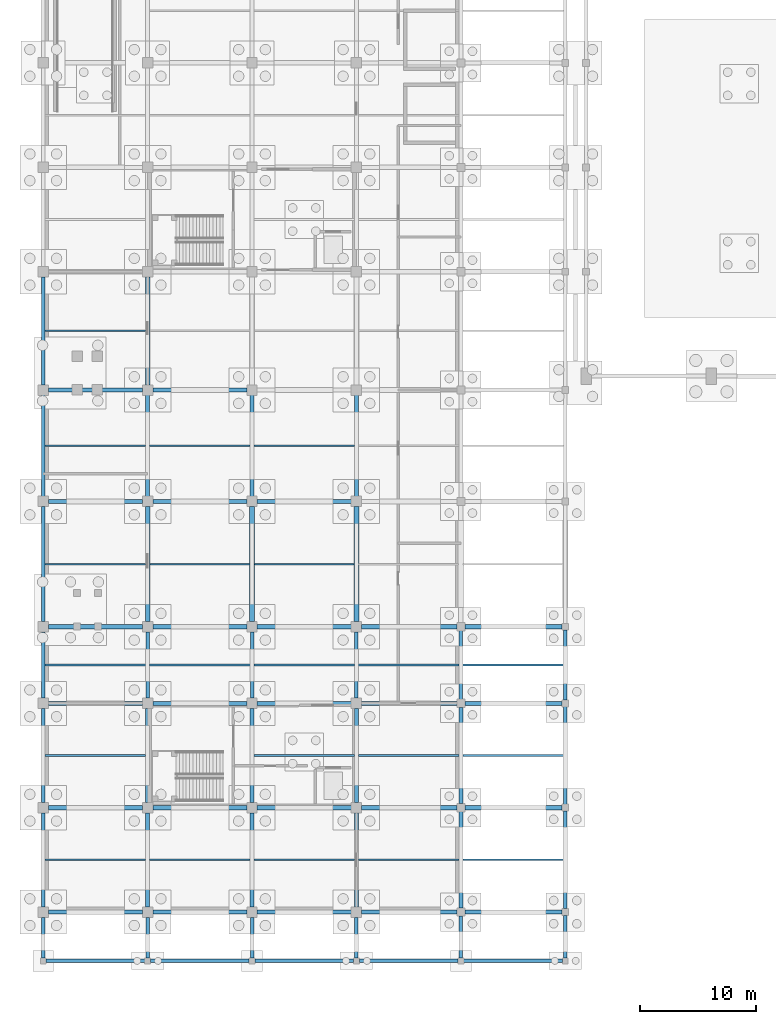
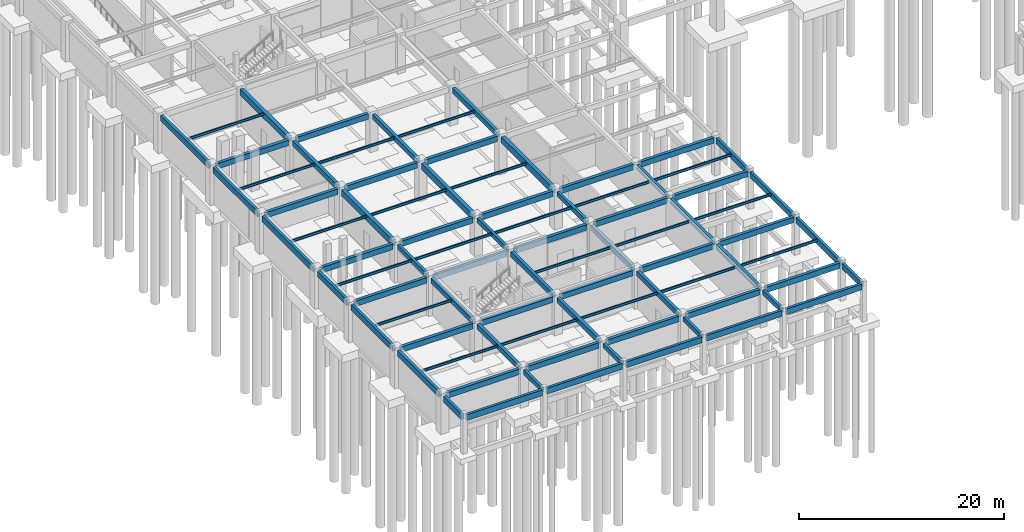
# One storey, part 14 of 33: 85 beams.
"""IFC4 building model written with IfcOpenShell, lengths in metres."""

from ifc_helpers import new_model, si_unit, direction, frame, origin, origin_2d, place, context, subcontext, project, spatial, rectangle, i_section, extrude, material, material_profile, profile_set, type_object, element, save


model = new_model("IFC4")

# Units and contexts
model_context = context("Model", 3, precision=1e-05, world=origin(), true_north=direction((0.0, 1.0)))
body_context = subcontext(model_context, "Body", "Model", "MODEL_VIEW")
ifc_project = project(units=[si_unit("LENGTHUNIT", "METRE"), si_unit("AREAUNIT", "SQUARE_METRE"), si_unit("VOLUMEUNIT", "CUBIC_METRE"), si_unit("PLANEANGLEUNIT", "RADIAN"), si_unit("MASSUNIT", "GRAM", prefix="KILO")], contexts=[model_context])

# Site, building, storey
site_placement = place(None, origin())
site = spatial("IfcSite", under=ifc_project, at=site_placement, CompositionType="ELEMENT")
building_placement = place(site_placement, origin())
building = spatial("IfcBuilding", under=site, at=building_placement, Name="Suirenkawa Promenade Aquatics Centre", CompositionType="ELEMENT")
storey_placement = place(building_placement, frame((0.0, 0.0, -4.800048828125)))
storey = spatial("IfcBuildingStorey", under=building, at=storey_placement, Name="B1", CompositionType="ELEMENT", Elevation=-4.800048828125)

# Beams
ifc_material_1 = material(Name="Steel IS 2062 E350 (Grade 350)", Category="steel")
ifc_material_profile_1 = material_profile(ifc_material_1, i_section(OverallWidth=0.139892578125, OverallDepth=0.300048828125, WebThickness=0.008056640625, FlangeThickness=0.012939453125, at=origin_2d()), Name="ISMB 300", Category="steel")
ifc_profile_set_1 = profile_set([ifc_material_profile_1], Name="Steel IS 2062 E350 (Grade 350)")
beam_type_1 = type_object("IfcBeamType", Name="BT-JOIST-ISMB300", PredefinedType="JOIST", material=ifc_profile_set_1)
for number, where, z_axis, x_axis, name in (
    (1, (0.14404296875, 8.699951171875, 4.34814453125), (1.0, 0.0, 0.0), (0.0, 1.0, 0.0), "Secondary floor joist JS-02 BM-0145"),
    (2, (0.14404296875, 17.699951171875, 4.34814453125), (1.0, 0.0, 0.0), (0.0, 1.0, 0.0), "Secondary floor joist JS-02 BM-0146"),
):
    element("IfcBeam", number, at=place(storey_placement, frame(where, z_axis=z_axis, x_axis=x_axis)), inside=storey, type_object=beam_type_1, Name=name, PredefinedType="JOIST", context=body_context, shape_type="SweptSolid", body=[
        extrude(i_section(OverallWidth=0.139892578125, OverallDepth=0.300048828125, WebThickness=0.008056640625, FlangeThickness=0.012939453125, at=origin_2d()), origin(), (0.0, 0.0, 1.0), 8.68701171875),
    ])
beam_1_placement = place(storey_placement, frame((0.14404296875, 25.5, 4.34814453125), z_axis=(1.0, 0.0, 0.0), x_axis=(0.0, 1.0, 0.0)))
element("IfcBeam", 3, at=beam_1_placement, inside=storey, type_object=beam_type_1, Name="Secondary floor joist JS-02 BM-0147", PredefinedType="JOIST", context=body_context, shape_type="SweptSolid", body=[
    extrude(i_section(OverallWidth=0.139892578125, OverallDepth=0.300048828125, WebThickness=0.008056640625, FlangeThickness=0.012939453125, at=origin_2d()), origin(), (0.0, 0.0, 1.0), 8.7119140625),
])
beam_2_placement = place(storey_placement, frame((0.14404296875, 34.199951171875, 4.34814453125), z_axis=(1.0, 0.0, 0.0), x_axis=(0.0, 1.0, 0.0)))
element("IfcBeam", 4, at=beam_2_placement, inside=storey, type_object=beam_type_1, Name="Secondary floor joist JS-02 BM-0148", PredefinedType="JOIST", context=body_context, shape_type="SweptSolid", body=[
    extrude(i_section(OverallWidth=0.139892578125, OverallDepth=0.300048828125, WebThickness=0.008056640625, FlangeThickness=0.012939453125, at=origin_2d()), origin(), (0.0, 0.0, 1.0), 8.661865234375),
])
beam_3_placement = place(storey_placement, frame((0.14404296875, 44.39990234375, 4.34814453125), z_axis=(1.0, 0.0, 0.0), x_axis=(0.0, 1.0, 0.0)))
element("IfcBeam", 5, at=beam_3_placement, inside=storey, type_object=beam_type_1, Name="Secondary floor joist JS-02 BM-0149", PredefinedType="JOIST", context=body_context, shape_type="SweptSolid", body=[
    extrude(i_section(OverallWidth=0.139892578125, OverallDepth=0.300048828125, WebThickness=0.008056640625, FlangeThickness=0.012939453125, at=origin_2d()), origin(), (0.0, 0.0, 1.0), 8.68701171875),
])
beam_4_placement = place(storey_placement, frame((0.14404296875, 54.300048828125, 4.34814453125), z_axis=(1.0, 0.0, 0.0), x_axis=(0.0, 1.0, 0.0)))
element("IfcBeam", 6, at=beam_4_placement, inside=storey, type_object=beam_type_1, Name="Secondary floor joist JS-02 BM-0150", PredefinedType="JOIST", context=body_context, shape_type="SweptSolid", body=[
    extrude(i_section(OverallWidth=0.139892578125, OverallDepth=0.300048828125, WebThickness=0.008056640625, FlangeThickness=0.012939453125, at=origin_2d()), origin(), (0.0, 0.0, 1.0), 8.661865234375),
])
beam_5_placement = place(storey_placement, frame((9.1689453125, 8.699951171875, 4.34814453125), z_axis=(1.0, 0.0, 0.0), x_axis=(0.0, 1.0, 0.0)))
element("IfcBeam", 7, at=beam_5_placement, inside=storey, type_object=beam_type_1, Name="Secondary floor joist JS-02 BM-0153", PredefinedType="JOIST", context=body_context, shape_type="SweptSolid", body=[
    extrude(i_section(OverallWidth=0.139892578125, OverallDepth=0.300048828125, WebThickness=0.008056640625, FlangeThickness=0.012939453125, at=origin_2d()), origin(), (0.0, 0.0, 1.0), 8.662109375),
])
beam_6_placement = place(storey_placement, frame((9.14404296875, 25.5, 4.34814453125), z_axis=(1.0, 0.0, 0.0), x_axis=(0.0, 1.0, 0.0)))
element("IfcBeam", 8, at=beam_6_placement, inside=storey, type_object=beam_type_1, Name="Secondary floor joist JS-02 BM-0154", PredefinedType="JOIST", context=body_context, shape_type="SweptSolid", body=[
    extrude(i_section(OverallWidth=0.139892578125, OverallDepth=0.300048828125, WebThickness=0.008056640625, FlangeThickness=0.012939453125, at=origin_2d()), origin(), (0.0, 0.0, 1.0), 8.7119140625),
])
beam_7_placement = place(storey_placement, frame((9.194091796875, 34.199951171875, 4.34814453125), z_axis=(1.0, 0.0, 0.0), x_axis=(0.0, 1.0, 0.0)))
element("IfcBeam", 9, at=beam_7_placement, inside=storey, type_object=beam_type_1, Name="Secondary floor joist JS-02 BM-0155", PredefinedType="JOIST", context=body_context, shape_type="SweptSolid", body=[
    extrude(i_section(OverallWidth=0.139892578125, OverallDepth=0.300048828125, WebThickness=0.008056640625, FlangeThickness=0.012939453125, at=origin_2d()), origin(), (0.0, 0.0, 1.0), 8.61181640625),
])
for number, where, z_axis, x_axis, name in (
    (10, (9.1689453125, 44.39990234375, 4.34814453125), (1.0, 0.0, 0.0), (0.0, 1.0, 0.0), "Secondary floor joist JS-02 BM-0156"),
    (11, (18.1689453125, 8.699951171875, 4.34814453125), (1.0, 0.0, 0.0), (0.0, 1.0, 0.0), "Secondary floor joist JS-02 BM-0163"),
    (12, (18.1689453125, 17.699951171875, 4.34814453125), (1.0, 0.0, 0.0), (0.0, 1.0, 0.0), "Secondary floor joist JS-02 BM-0164"),
):
    element("IfcBeam", number, at=place(storey_placement, frame(where, z_axis=z_axis, x_axis=x_axis)), inside=storey, type_object=beam_type_1, Name=name, PredefinedType="JOIST", context=body_context, shape_type="SweptSolid", body=[
        extrude(i_section(OverallWidth=0.139892578125, OverallDepth=0.300048828125, WebThickness=0.008056640625, FlangeThickness=0.012939453125, at=origin_2d()), origin(), (0.0, 0.0, 1.0), 8.662109375),
    ])
beam_8_placement = place(storey_placement, frame((18.14404296875, 25.5, 4.34814453125), z_axis=(1.0, 0.0, 0.0), x_axis=(0.0, 1.0, 0.0)))
element("IfcBeam", 13, at=beam_8_placement, inside=storey, type_object=beam_type_1, Name="Secondary floor joist JS-02 BM-0165", PredefinedType="JOIST", context=body_context, shape_type="SweptSolid", body=[
    extrude(i_section(OverallWidth=0.139892578125, OverallDepth=0.300048828125, WebThickness=0.008056640625, FlangeThickness=0.012939453125, at=origin_2d()), origin(), (0.0, 0.0, 1.0), 8.7119140625),
])
beam_9_placement = place(storey_placement, frame((18.194091796875, 34.199951171875, 4.34814453125), z_axis=(1.0, 0.0, 0.0), x_axis=(0.0, 1.0, 0.0)))
element("IfcBeam", 14, at=beam_9_placement, inside=storey, type_object=beam_type_1, Name="Secondary floor joist JS-02 BM-0166", PredefinedType="JOIST", context=body_context, shape_type="SweptSolid", body=[
    extrude(i_section(OverallWidth=0.139892578125, OverallDepth=0.300048828125, WebThickness=0.008056640625, FlangeThickness=0.012939453125, at=origin_2d()), origin(), (0.0, 0.0, 1.0), 8.61181640625),
])
for number, where, z_axis, x_axis, name in (
    (15, (18.1689453125, 44.39990234375, 4.34814453125), (1.0, 0.0, 0.0), (0.0, 1.0, 0.0), "Secondary floor joist JS-02 BM-0167"),
    (16, (27.1689453125, 8.699951171875, 4.34814453125), (1.0, 0.0, 0.0), (0.0, 1.0, 0.0), "Secondary floor joist JS-02 BM-0175"),
    (17, (27.1689453125, 17.699951171875, 4.34814453125), (1.0, 0.0, 0.0), (0.0, 1.0, 0.0), "Secondary floor joist JS-02 BM-0176"),
):
    element("IfcBeam", number, at=place(storey_placement, frame(where, z_axis=z_axis, x_axis=x_axis)), inside=storey, type_object=beam_type_1, Name=name, PredefinedType="JOIST", context=body_context, shape_type="SweptSolid", body=[
        extrude(i_section(OverallWidth=0.139892578125, OverallDepth=0.300048828125, WebThickness=0.008056640625, FlangeThickness=0.012939453125, at=origin_2d()), origin(), (0.0, 0.0, 1.0), 8.662109375),
    ])
beam_10_placement = place(storey_placement, frame((27.14404296875, 25.5, 4.34814453125), z_axis=(1.0, 0.0, 0.0), x_axis=(0.0, 1.0, 0.0)))
element("IfcBeam", 18, at=beam_10_placement, inside=storey, type_object=beam_type_1, Name="Secondary floor joist JS-02 BM-0177", PredefinedType="JOIST", context=body_context, shape_type="SweptSolid", body=[
    extrude(i_section(OverallWidth=0.139892578125, OverallDepth=0.300048828125, WebThickness=0.008056640625, FlangeThickness=0.012939453125, at=origin_2d()), origin(), (0.0, 0.0, 1.0), 8.7119140625),
])
for number, where, z_axis, x_axis, name in (
    (19, (36.1689453125, 8.699951171875, 4.34814453125), (1.0, 0.0, 0.0), (0.0, 1.0, 0.0), "Secondary floor joist JS-02 BM-0187"),
    (20, (36.1689453125, 17.699951171875, 4.34814453125), (1.0, 0.0, 0.0), (0.0, 1.0, 0.0), "Secondary floor joist JS-02 BM-0188"),
):
    element("IfcBeam", number, at=place(storey_placement, frame(where, z_axis=z_axis, x_axis=x_axis)), inside=storey, type_object=beam_type_1, Name=name, PredefinedType="JOIST", context=body_context, shape_type="SweptSolid", body=[
        extrude(i_section(OverallWidth=0.139892578125, OverallDepth=0.300048828125, WebThickness=0.008056640625, FlangeThickness=0.012939453125, at=origin_2d()), origin(), (0.0, 0.0, 1.0), 8.68701171875),
    ])
beam_11_placement = place(storey_placement, frame((36.14404296875, 25.5, 4.34814453125), z_axis=(1.0, 0.0, 0.0), x_axis=(0.0, 1.0, 0.0)))
element("IfcBeam", 21, at=beam_11_placement, inside=storey, type_object=beam_type_1, Name="Secondary floor joist JS-02 BM-0189", PredefinedType="JOIST", context=body_context, shape_type="SweptSolid", body=[
    extrude(i_section(OverallWidth=0.139892578125, OverallDepth=0.300048828125, WebThickness=0.008056640625, FlangeThickness=0.012939453125, at=origin_2d()), origin(), (0.0, 0.0, 1.0), 8.7119140625),
])
ifc_material_2 = material(Name="Concrete M35", Category="concrete")
ifc_material_profile_2 = material_profile(ifc_material_2, rectangle(XDim=0.300048828125, YDim=0.550048828125, at=origin_2d()), Name="RC BM 300x550", Category="concrete")
ifc_profile_set_2 = profile_set([ifc_material_profile_2], Name="Concrete M35")
beam_type_2 = type_object("IfcBeamType", Name="BT-RC-300x550", PredefinedType="BEAM", material=ifc_profile_set_2)
beam_12_placement = place(storey_placement, frame((9.0, 0.243896484375, 4.22509765625), z_axis=(0.0, 1.0, 0.0), x_axis=(-1.0, 0.0, 0.0)))
element("IfcBeam", 22, at=beam_12_placement, inside=storey, type_object=beam_type_2, Name="Floor beam BM-01 BM-0080", PredefinedType="BEAM", context=body_context, shape_type="SweptSolid", body=[
    extrude(rectangle(XDim=0.300048828125, YDim=0.550048828125, at=origin_2d()), origin(), (0.0, 0.0, 1.0), 3.51220703125),
])
beam_13_placement = place(storey_placement, frame((9.0, 22.64404296875, 4.22509765625), z_axis=(0.0, 1.0, 0.0), x_axis=(-1.0, 0.0, 0.0)))
element("IfcBeam", 23, at=beam_13_placement, inside=storey, type_object=beam_type_2, Name="Floor beam BM-01 BM-0083", PredefinedType="BEAM", context=body_context, shape_type="SweptSolid", body=[
    extrude(rectangle(XDim=0.300048828125, YDim=0.550048828125, at=origin_2d()), origin(), (0.0, 0.0, 1.0), 5.7119140625),
])
beam_14_placement = place(storey_placement, frame((18.0, 0.243896484375, 4.22509765625), z_axis=(0.0, 1.0, 0.0), x_axis=(-1.0, 0.0, 0.0)))
element("IfcBeam", 24, at=beam_14_placement, inside=storey, type_object=beam_type_2, Name="Floor beam BM-01 BM-0093", PredefinedType="BEAM", context=body_context, shape_type="SweptSolid", body=[
    extrude(rectangle(XDim=0.300048828125, YDim=0.550048828125, at=origin_2d()), origin(), (0.0, 0.0, 1.0), 3.51220703125),
])
beam_15_placement = place(storey_placement, frame((18.0, 22.64404296875, 4.22509765625), z_axis=(0.0, 1.0, 0.0), x_axis=(-1.0, 0.0, 0.0)))
element("IfcBeam", 25, at=beam_15_placement, inside=storey, type_object=beam_type_2, Name="Floor beam BM-01 BM-0096", PredefinedType="BEAM", context=body_context, shape_type="SweptSolid", body=[
    extrude(rectangle(XDim=0.300048828125, YDim=0.550048828125, at=origin_2d()), origin(), (0.0, 0.0, 1.0), 5.7119140625),
])
beam_16_placement = place(storey_placement, frame((27.0, 0.243896484375, 4.22509765625), z_axis=(0.0, 1.0, 0.0), x_axis=(-1.0, 0.0, 0.0)))
element("IfcBeam", 26, at=beam_16_placement, inside=storey, type_object=beam_type_2, Name="Floor beam BM-01 BM-0106", PredefinedType="BEAM", context=body_context, shape_type="SweptSolid", body=[
    extrude(rectangle(XDim=0.300048828125, YDim=0.550048828125, at=origin_2d()), origin(), (0.0, 0.0, 1.0), 3.51220703125),
])
beam_17_placement = place(storey_placement, frame((27.0, 22.64404296875, 4.22509765625), z_axis=(0.0, 1.0, 0.0), x_axis=(-1.0, 0.0, 0.0)))
element("IfcBeam", 27, at=beam_17_placement, inside=storey, type_object=beam_type_2, Name="Floor beam BM-01 BM-0109", PredefinedType="BEAM", context=body_context, shape_type="SweptSolid", body=[
    extrude(rectangle(XDim=0.300048828125, YDim=0.550048828125, at=origin_2d()), origin(), (0.0, 0.0, 1.0), 5.7119140625),
])
beam_18_placement = place(storey_placement, frame((36.0, 0.243896484375, 4.22509765625), z_axis=(0.0, 1.0, 0.0), x_axis=(-1.0, 0.0, 0.0)))
element("IfcBeam", 28, at=beam_18_placement, inside=storey, type_object=beam_type_2, Name="Floor beam BM-01 BM-0119", PredefinedType="BEAM", context=body_context, shape_type="SweptSolid", body=[
    extrude(rectangle(XDim=0.300048828125, YDim=0.550048828125, at=origin_2d()), origin(), (0.0, 0.0, 1.0), 3.612060546875),
])
beam_19_placement = place(storey_placement, frame((36.0, 22.5439453125, 4.22509765625), z_axis=(0.0, 1.0, 0.0), x_axis=(-1.0, 0.0, 0.0)))
element("IfcBeam", 29, at=beam_19_placement, inside=storey, type_object=beam_type_2, Name="Floor beam BM-01 BM-0122", PredefinedType="BEAM", context=body_context, shape_type="SweptSolid", body=[
    extrude(rectangle(XDim=0.300048828125, YDim=0.550048828125, at=origin_2d()), origin(), (0.0, 0.0, 1.0), 5.912109375),
])
ifc_material_profile_3 = material_profile(ifc_material_2, rectangle(XDim=0.35009765625, YDim=0.60009765625, at=origin_2d()), Name="RC BM 350x600", Category="concrete")
ifc_profile_set_3 = profile_set([ifc_material_profile_3], Name="Concrete M35")
beam_type_3 = type_object("IfcBeamType", Name="BT-RC-350x600", PredefinedType="BEAM", material=ifc_profile_set_3)
for number, where, z_axis, x_axis, name in (
    (30, (9.0, 4.64404296875, 4.199951171875), (0.0, 1.0, 0.0), (-1.0, 0.0, 0.0), "Floor beam BM-02 BM-0081"),
    (31, (9.0, 13.64404296875, 4.199951171875), (0.0, 1.0, 0.0), (-1.0, 0.0, 0.0), "Floor beam BM-02 BM-0082"),
):
    element("IfcBeam", number, at=place(storey_placement, frame(where, z_axis=z_axis, x_axis=x_axis)), inside=storey, type_object=beam_type_3, Name=name, PredefinedType="BEAM", context=body_context, shape_type="SweptSolid", body=[
        extrude(rectangle(XDim=0.35009765625, YDim=0.60009765625, at=origin_2d()), origin(), (0.0, 0.0, 1.0), 8.112060546875),
    ])
beam_20_placement = place(storey_placement, frame((9.0, 40.0439453125, 4.199951171875), z_axis=(0.0, 1.0, 0.0), x_axis=(-1.0, 0.0, 0.0)))
element("IfcBeam", 32, at=beam_20_placement, inside=storey, type_object=beam_type_3, Name="Floor beam BM-02 BM-0085", PredefinedType="BEAM", context=body_context, shape_type="SweptSolid", body=[
    extrude(rectangle(XDim=0.35009765625, YDim=0.60009765625, at=origin_2d()), origin(), (0.0, 0.0, 1.0), 8.712158203125),
])
for number, where, z_axis, x_axis, name in (
    (33, (18.0, 4.64404296875, 4.199951171875), (0.0, 1.0, 0.0), (-1.0, 0.0, 0.0), "Floor beam BM-02 BM-0094"),
    (34, (18.0, 13.64404296875, 4.199951171875), (0.0, 1.0, 0.0), (-1.0, 0.0, 0.0), "Floor beam BM-02 BM-0095"),
):
    element("IfcBeam", number, at=place(storey_placement, frame(where, z_axis=z_axis, x_axis=x_axis)), inside=storey, type_object=beam_type_3, Name=name, PredefinedType="BEAM", context=body_context, shape_type="SweptSolid", body=[
        extrude(rectangle(XDim=0.35009765625, YDim=0.60009765625, at=origin_2d()), origin(), (0.0, 0.0, 1.0), 8.112060546875),
    ])
beam_21_placement = place(storey_placement, frame((18.0, 40.0439453125, 4.199951171875), z_axis=(0.0, 1.0, 0.0), x_axis=(-1.0, 0.0, 0.0)))
element("IfcBeam", 35, at=beam_21_placement, inside=storey, type_object=beam_type_3, Name="Floor beam BM-02 BM-0098", PredefinedType="BEAM", context=body_context, shape_type="SweptSolid", body=[
    extrude(rectangle(XDim=0.35009765625, YDim=0.60009765625, at=origin_2d()), origin(), (0.0, 0.0, 1.0), 8.712158203125),
])
for number, where, z_axis, x_axis, name in (
    (36, (27.0, 4.64404296875, 4.199951171875), (0.0, 1.0, 0.0), (-1.0, 0.0, 0.0), "Floor beam BM-02 BM-0107"),
    (37, (27.0, 13.64404296875, 4.199951171875), (0.0, 1.0, 0.0), (-1.0, 0.0, 0.0), "Floor beam BM-02 BM-0108"),
):
    element("IfcBeam", number, at=place(storey_placement, frame(where, z_axis=z_axis, x_axis=x_axis)), inside=storey, type_object=beam_type_3, Name=name, PredefinedType="BEAM", context=body_context, shape_type="SweptSolid", body=[
        extrude(rectangle(XDim=0.35009765625, YDim=0.60009765625, at=origin_2d()), origin(), (0.0, 0.0, 1.0), 8.112060546875),
    ])
beam_22_placement = place(storey_placement, frame((27.0, 40.0439453125, 4.199951171875), z_axis=(0.0, 1.0, 0.0), x_axis=(-1.0, 0.0, 0.0)))
element("IfcBeam", 38, at=beam_22_placement, inside=storey, type_object=beam_type_3, Name="Floor beam BM-02 BM-0111", PredefinedType="BEAM", context=body_context, shape_type="SweptSolid", body=[
    extrude(rectangle(XDim=0.35009765625, YDim=0.60009765625, at=origin_2d()), origin(), (0.0, 0.0, 1.0), 8.712158203125),
])
for number, where, z_axis, x_axis, name in (
    (39, (36.0, 4.5439453125, 4.199951171875), (0.0, 1.0, 0.0), (-1.0, 0.0, 0.0), "Floor beam BM-02 BM-0120"),
    (40, (36.0, 13.5439453125, 4.199951171875), (0.0, 1.0, 0.0), (-1.0, 0.0, 0.0), "Floor beam BM-02 BM-0121"),
):
    element("IfcBeam", number, at=place(storey_placement, frame(where, z_axis=z_axis, x_axis=x_axis)), inside=storey, type_object=beam_type_3, Name=name, PredefinedType="BEAM", context=body_context, shape_type="SweptSolid", body=[
        extrude(rectangle(XDim=0.35009765625, YDim=0.60009765625, at=origin_2d()), origin(), (0.0, 0.0, 1.0), 8.31201171875),
    ])
ifc_material_profile_4 = material_profile(ifc_material_2, rectangle(XDim=0.35009765625, YDim=0.64990234375, at=origin_2d()), Name="RC BM 350x650", Category="concrete")
ifc_profile_set_4 = profile_set([ifc_material_profile_4], Name="Concrete M35")
beam_type_4 = type_object("IfcBeamType", Name="BT-RC-350x650", PredefinedType="BEAM", material=ifc_profile_set_4)
for number, where, z_axis, x_axis, name in (
    (41, (0.444091796875, 4.199951171875, 4.175048828125), (1.0, 0.0, 0.0), (0.0, 1.0, 0.0), "Floor beam BM-03 BM-0006"),
    (42, (9.444091796875, 4.199951171875, 4.175048828125), (1.0, 0.0, 0.0), (0.0, 1.0, 0.0), "Floor beam BM-03 BM-0007"),
    (43, (18.444091796875, 4.199951171875, 4.175048828125), (1.0, 0.0, 0.0), (0.0, 1.0, 0.0), "Floor beam BM-03 BM-0008"),
):
    element("IfcBeam", number, at=place(storey_placement, frame(where, z_axis=z_axis, x_axis=x_axis)), inside=storey, type_object=beam_type_4, Name=name, PredefinedType="BEAM", context=body_context, shape_type="SweptSolid", body=[
        extrude(rectangle(XDim=0.35009765625, YDim=0.64990234375, at=origin_2d()), origin(), (0.0, 0.0, 1.0), 8.11181640625),
    ])
beam_23_placement = place(storey_placement, frame((27.444091796875, 4.199951171875, 4.175048828125), z_axis=(1.0, 0.0, 0.0), x_axis=(0.0, 1.0, 0.0)))
element("IfcBeam", 44, at=beam_23_placement, inside=storey, type_object=beam_type_4, Name="Floor beam BM-03 BM-0009", PredefinedType="BEAM", context=body_context, shape_type="SweptSolid", body=[
    extrude(rectangle(XDim=0.35009765625, YDim=0.64990234375, at=origin_2d()), origin(), (0.0, 0.0, 1.0), 8.2119140625),
])
beam_24_placement = place(storey_placement, frame((36.343994140625, 4.199951171875, 4.175048828125), z_axis=(1.0, 0.0, 0.0), x_axis=(0.0, 1.0, 0.0)))
element("IfcBeam", 45, at=beam_24_placement, inside=storey, type_object=beam_type_4, Name="Floor beam BM-03 BM-0010", PredefinedType="BEAM", context=body_context, shape_type="SweptSolid", body=[
    extrude(rectangle(XDim=0.35009765625, YDim=0.64990234375, at=origin_2d()), origin(), (0.0, 0.0, 1.0), 8.362060546875),
])
for number, where, z_axis, x_axis, name in (
    (46, (0.444091796875, 13.199951171875, 4.175048828125), (1.0, 0.0, 0.0), (0.0, 1.0, 0.0), "Floor beam BM-03 BM-0011"),
    (47, (9.444091796875, 13.199951171875, 4.175048828125), (1.0, 0.0, 0.0), (0.0, 1.0, 0.0), "Floor beam BM-03 BM-0012"),
    (48, (18.444091796875, 13.199951171875, 4.175048828125), (1.0, 0.0, 0.0), (0.0, 1.0, 0.0), "Floor beam BM-03 BM-0013"),
):
    element("IfcBeam", number, at=place(storey_placement, frame(where, z_axis=z_axis, x_axis=x_axis)), inside=storey, type_object=beam_type_4, Name=name, PredefinedType="BEAM", context=body_context, shape_type="SweptSolid", body=[
        extrude(rectangle(XDim=0.35009765625, YDim=0.64990234375, at=origin_2d()), origin(), (0.0, 0.0, 1.0), 8.11181640625),
    ])
beam_25_placement = place(storey_placement, frame((27.444091796875, 13.199951171875, 4.175048828125), z_axis=(1.0, 0.0, 0.0), x_axis=(0.0, 1.0, 0.0)))
element("IfcBeam", 49, at=beam_25_placement, inside=storey, type_object=beam_type_4, Name="Floor beam BM-03 BM-0014", PredefinedType="BEAM", context=body_context, shape_type="SweptSolid", body=[
    extrude(rectangle(XDim=0.35009765625, YDim=0.64990234375, at=origin_2d()), origin(), (0.0, 0.0, 1.0), 8.2119140625),
])
beam_26_placement = place(storey_placement, frame((36.343994140625, 13.199951171875, 4.175048828125), z_axis=(1.0, 0.0, 0.0), x_axis=(0.0, 1.0, 0.0)))
element("IfcBeam", 50, at=beam_26_placement, inside=storey, type_object=beam_type_4, Name="Floor beam BM-03 BM-0015", PredefinedType="BEAM", context=body_context, shape_type="SweptSolid", body=[
    extrude(rectangle(XDim=0.35009765625, YDim=0.64990234375, at=origin_2d()), origin(), (0.0, 0.0, 1.0), 8.362060546875),
])
for number, where, z_axis, x_axis, name in (
    (51, (0.444091796875, 22.199951171875, 4.175048828125), (1.0, 0.0, 0.0), (0.0, 1.0, 0.0), "Floor beam BM-03 BM-0016"),
    (52, (9.444091796875, 22.199951171875, 4.175048828125), (1.0, 0.0, 0.0), (0.0, 1.0, 0.0), "Floor beam BM-03 BM-0017"),
    (53, (18.444091796875, 22.199951171875, 4.175048828125), (1.0, 0.0, 0.0), (0.0, 1.0, 0.0), "Floor beam BM-03 BM-0018"),
):
    element("IfcBeam", number, at=place(storey_placement, frame(where, z_axis=z_axis, x_axis=x_axis)), inside=storey, type_object=beam_type_4, Name=name, PredefinedType="BEAM", context=body_context, shape_type="SweptSolid", body=[
        extrude(rectangle(XDim=0.35009765625, YDim=0.64990234375, at=origin_2d()), origin(), (0.0, 0.0, 1.0), 8.11181640625),
    ])
beam_27_placement = place(storey_placement, frame((27.444091796875, 22.199951171875, 4.175048828125), z_axis=(1.0, 0.0, 0.0), x_axis=(0.0, 1.0, 0.0)))
element("IfcBeam", 54, at=beam_27_placement, inside=storey, type_object=beam_type_4, Name="Floor beam BM-03 BM-0019", PredefinedType="BEAM", context=body_context, shape_type="SweptSolid", body=[
    extrude(rectangle(XDim=0.35009765625, YDim=0.64990234375, at=origin_2d()), origin(), (0.0, 0.0, 1.0), 8.2119140625),
])
beam_28_placement = place(storey_placement, frame((36.343994140625, 22.199951171875, 4.175048828125), z_axis=(1.0, 0.0, 0.0), x_axis=(0.0, 1.0, 0.0)))
element("IfcBeam", 55, at=beam_28_placement, inside=storey, type_object=beam_type_4, Name="Floor beam BM-03 BM-0020", PredefinedType="BEAM", context=body_context, shape_type="SweptSolid", body=[
    extrude(rectangle(XDim=0.35009765625, YDim=0.64990234375, at=origin_2d()), origin(), (0.0, 0.0, 1.0), 8.362060546875),
])
for number, where, z_axis, x_axis, name in (
    (56, (0.444091796875, 28.800048828125, 4.175048828125), (1.0, 0.0, 0.0), (0.0, 1.0, 0.0), "Floor beam BM-03 BM-0021"),
    (57, (9.444091796875, 28.800048828125, 4.175048828125), (1.0, 0.0, 0.0), (0.0, 1.0, 0.0), "Floor beam BM-03 BM-0022"),
    (58, (18.444091796875, 28.800048828125, 4.175048828125), (1.0, 0.0, 0.0), (0.0, 1.0, 0.0), "Floor beam BM-03 BM-0023"),
):
    element("IfcBeam", number, at=place(storey_placement, frame(where, z_axis=z_axis, x_axis=x_axis)), inside=storey, type_object=beam_type_4, Name=name, PredefinedType="BEAM", context=body_context, shape_type="SweptSolid", body=[
        extrude(rectangle(XDim=0.35009765625, YDim=0.64990234375, at=origin_2d()), origin(), (0.0, 0.0, 1.0), 8.11181640625),
    ])
beam_29_placement = place(storey_placement, frame((27.444091796875, 28.800048828125, 4.175048828125), z_axis=(1.0, 0.0, 0.0), x_axis=(0.0, 1.0, 0.0)))
element("IfcBeam", 59, at=beam_29_placement, inside=storey, type_object=beam_type_4, Name="Floor beam BM-03 BM-0024", PredefinedType="BEAM", context=body_context, shape_type="SweptSolid", body=[
    extrude(rectangle(XDim=0.35009765625, YDim=0.64990234375, at=origin_2d()), origin(), (0.0, 0.0, 1.0), 8.2119140625),
])
beam_30_placement = place(storey_placement, frame((36.343994140625, 28.800048828125, 4.175048828125), z_axis=(1.0, 0.0, 0.0), x_axis=(0.0, 1.0, 0.0)))
element("IfcBeam", 60, at=beam_30_placement, inside=storey, type_object=beam_type_4, Name="Floor beam BM-03 BM-0025", PredefinedType="BEAM", context=body_context, shape_type="SweptSolid", body=[
    extrude(rectangle(XDim=0.35009765625, YDim=0.64990234375, at=origin_2d()), origin(), (0.0, 0.0, 1.0), 8.362060546875),
])
for number, where, z_axis, x_axis, name in (
    (61, (0.444091796875, 39.60009765625, 4.175048828125), (1.0, 0.0, 0.0), (0.0, 1.0, 0.0), "Floor beam BM-03 BM-0026"),
    (62, (9.444091796875, 39.60009765625, 4.175048828125), (1.0, 0.0, 0.0), (0.0, 1.0, 0.0), "Floor beam BM-03 BM-0027"),
    (63, (18.444091796875, 39.60009765625, 4.175048828125), (1.0, 0.0, 0.0), (0.0, 1.0, 0.0), "Floor beam BM-03 BM-0028"),
    (64, (0.444091796875, 49.199951171875, 4.175048828125), (1.0, 0.0, 0.0), (0.0, 1.0, 0.0), "Floor beam BM-03 BM-0031"),
    (65, (9.444091796875, 49.199951171875, 4.175048828125), (1.0, 0.0, 0.0), (0.0, 1.0, 0.0), "Floor beam BM-03 BM-0032"),
):
    element("IfcBeam", number, at=place(storey_placement, frame(where, z_axis=z_axis, x_axis=x_axis)), inside=storey, type_object=beam_type_4, Name=name, PredefinedType="BEAM", context=body_context, shape_type="SweptSolid", body=[
        extrude(rectangle(XDim=0.35009765625, YDim=0.64990234375, at=origin_2d()), origin(), (0.0, 0.0, 1.0), 8.11181640625),
    ])
ifc_material_3 = material(Name="Concrete M40", Category="concrete")
ifc_material_profile_5 = material_profile(ifc_material_3, rectangle(XDim=0.39990234375, YDim=0.75, at=origin_2d()), Name="RC BM 400x750", Category="concrete")
ifc_profile_set_5 = profile_set([ifc_material_profile_5], Name="Concrete M40")
beam_type_5 = type_object("IfcBeamType", Name="BT-RC-400x750", PredefinedType="BEAM", material=ifc_profile_set_5)
beam_31_placement = place(storey_placement, frame((9.0, 29.243896484375, 4.125), z_axis=(0.0, 1.0, 0.0), x_axis=(-1.0, 0.0, 0.0)))
element("IfcBeam", 66, at=beam_31_placement, inside=storey, type_object=beam_type_5, Name="Floor beam BM-05 BM-0084", PredefinedType="BEAM", context=body_context, shape_type="SweptSolid", body=[
    extrude(rectangle(XDim=0.39990234375, YDim=0.75, at=origin_2d()), origin(), (0.0, 0.0, 1.0), 9.912109375),
])
beam_32_placement = place(storey_placement, frame((9.0, 49.64404296875, 4.125), z_axis=(0.0, 1.0, 0.0), x_axis=(-1.0, 0.0, 0.0)))
element("IfcBeam", 67, at=beam_32_placement, inside=storey, type_object=beam_type_5, Name="Floor beam BM-05 BM-0086", PredefinedType="BEAM", context=body_context, shape_type="SweptSolid", body=[
    extrude(rectangle(XDim=0.39990234375, YDim=0.75, at=origin_2d()), origin(), (0.0, 0.0, 1.0), 9.31201171875),
])
for number, where, z_axis, x_axis, name in (
    (68, (18.0, 29.243896484375, 4.125), (0.0, 1.0, 0.0), (-1.0, 0.0, 0.0), "Floor beam BM-05 BM-0097"),
    (69, (27.0, 29.243896484375, 4.125), (0.0, 1.0, 0.0), (-1.0, 0.0, 0.0), "Floor beam BM-05 BM-0110"),
):
    element("IfcBeam", number, at=place(storey_placement, frame(where, z_axis=z_axis, x_axis=x_axis)), inside=storey, type_object=beam_type_5, Name=name, PredefinedType="BEAM", context=body_context, shape_type="SweptSolid", body=[
        extrude(rectangle(XDim=0.39990234375, YDim=0.75, at=origin_2d()), origin(), (0.0, 0.0, 1.0), 9.912109375),
    ])
ifc_material_profile_6 = material_profile(ifc_material_3, rectangle(XDim=0.300048828125, YDim=0.699951171875, at=origin_2d()), Name="RC SPANDREL 300x700", Category="concrete")
ifc_profile_set_6 = profile_set([ifc_material_profile_6], Name="Concrete M40")
beam_type_6 = type_object("IfcBeamType", Name="BT-SPANDREL-300x700", PredefinedType="SPANDREL", material=ifc_profile_set_6)
for number, where, z_axis, x_axis, name in (
    (70, (0.243896484375, 0.0, 4.150146484375), (1.0, 0.0, 0.0), (0.0, 1.0, 0.0), "Floor beam SP-01 BM-0001"),
    (71, (9.243896484375, 0.0, 4.150146484375), (1.0, 0.0, 0.0), (0.0, 1.0, 0.0), "Floor beam SP-01 BM-0002"),
    (72, (18.243896484375, 0.0, 4.150146484375), (1.0, 0.0, 0.0), (0.0, 1.0, 0.0), "Floor beam SP-01 BM-0003"),
    (73, (27.243896484375, 0.0, 4.150146484375), (1.0, 0.0, 0.0), (0.0, 1.0, 0.0), "Floor beam SP-01 BM-0004"),
    (74, (36.243896484375, 0.0, 4.150146484375), (1.0, 0.0, 0.0), (0.0, 1.0, 0.0), "Floor beam SP-01 BM-0005"),
):
    element("IfcBeam", number, at=place(storey_placement, frame(where, z_axis=z_axis, x_axis=x_axis)), inside=storey, type_object=beam_type_6, Name=name, PredefinedType="SPANDREL", context=body_context, shape_type="SweptSolid", body=[
        extrude(rectangle(XDim=0.300048828125, YDim=0.699951171875, at=origin_2d()), origin(), (0.0, 0.0, 1.0), 8.51220703125),
    ])
beam_33_placement = place(storey_placement, frame((0.0, 0.243896484375, 4.150146484375), z_axis=(0.0, 1.0, 0.0), x_axis=(-1.0, 0.0, 0.0)))
element("IfcBeam", 75, at=beam_33_placement, inside=storey, type_object=beam_type_6, Name="Floor beam SP-01 BM-0067", PredefinedType="SPANDREL", context=body_context, shape_type="SweptSolid", body=[
    extrude(rectangle(XDim=0.300048828125, YDim=0.699951171875, at=origin_2d()), origin(), (0.0, 0.0, 1.0), 3.51220703125),
])
for number, where, z_axis, x_axis, name in (
    (76, (0.0, 4.64404296875, 4.150146484375), (0.0, 1.0, 0.0), (-1.0, 0.0, 0.0), "Floor beam SP-01 BM-0068"),
    (77, (0.0, 13.64404296875, 4.150146484375), (0.0, 1.0, 0.0), (-1.0, 0.0, 0.0), "Floor beam SP-01 BM-0069"),
):
    element("IfcBeam", number, at=place(storey_placement, frame(where, z_axis=z_axis, x_axis=x_axis)), inside=storey, type_object=beam_type_6, Name=name, PredefinedType="SPANDREL", context=body_context, shape_type="SweptSolid", body=[
        extrude(rectangle(XDim=0.300048828125, YDim=0.699951171875, at=origin_2d()), origin(), (0.0, 0.0, 1.0), 8.112060546875),
    ])
beam_34_placement = place(storey_placement, frame((0.0, 22.64404296875, 4.150146484375), z_axis=(0.0, 1.0, 0.0), x_axis=(-1.0, 0.0, 0.0)))
element("IfcBeam", 78, at=beam_34_placement, inside=storey, type_object=beam_type_6, Name="Floor beam SP-01 BM-0070", PredefinedType="SPANDREL", context=body_context, shape_type="SweptSolid", body=[
    extrude(rectangle(XDim=0.300048828125, YDim=0.699951171875, at=origin_2d()), origin(), (0.0, 0.0, 1.0), 5.7119140625),
])
beam_35_placement = place(storey_placement, frame((0.0, 29.243896484375, 4.150146484375), z_axis=(0.0, 1.0, 0.0), x_axis=(-1.0, 0.0, 0.0)))
element("IfcBeam", 79, at=beam_35_placement, inside=storey, type_object=beam_type_6, Name="Floor beam SP-01 BM-0071", PredefinedType="SPANDREL", context=body_context, shape_type="SweptSolid", body=[
    extrude(rectangle(XDim=0.300048828125, YDim=0.699951171875, at=origin_2d()), origin(), (0.0, 0.0, 1.0), 9.912109375),
])
beam_36_placement = place(storey_placement, frame((0.0, 40.0439453125, 4.150146484375), z_axis=(0.0, 1.0, 0.0), x_axis=(-1.0, 0.0, 0.0)))
element("IfcBeam", 80, at=beam_36_placement, inside=storey, type_object=beam_type_6, Name="Floor beam SP-01 BM-0072", PredefinedType="SPANDREL", context=body_context, shape_type="SweptSolid", body=[
    extrude(rectangle(XDim=0.300048828125, YDim=0.699951171875, at=origin_2d()), origin(), (0.0, 0.0, 1.0), 8.712158203125),
])
beam_37_placement = place(storey_placement, frame((0.0, 49.64404296875, 4.150146484375), z_axis=(0.0, 1.0, 0.0), x_axis=(-1.0, 0.0, 0.0)))
element("IfcBeam", 81, at=beam_37_placement, inside=storey, type_object=beam_type_6, Name="Floor beam SP-01 BM-0073", PredefinedType="SPANDREL", context=body_context, shape_type="SweptSolid", body=[
    extrude(rectangle(XDim=0.300048828125, YDim=0.699951171875, at=origin_2d()), origin(), (0.0, 0.0, 1.0), 9.31201171875),
])
beam_38_placement = place(storey_placement, frame((45.0, 0.243896484375, 4.150146484375), z_axis=(0.0, 1.0, 0.0), x_axis=(-1.0, 0.0, 0.0)))
element("IfcBeam", 82, at=beam_38_placement, inside=storey, type_object=beam_type_6, Name="Floor beam SP-01 BM-0132", PredefinedType="SPANDREL", context=body_context, shape_type="SweptSolid", body=[
    extrude(rectangle(XDim=0.300048828125, YDim=0.699951171875, at=origin_2d()), origin(), (0.0, 0.0, 1.0), 3.662109375),
])
for number, where, z_axis, x_axis, name in (
    (83, (45.0, 4.493896484375, 4.150146484375), (0.0, 1.0, 0.0), (-1.0, 0.0, 0.0), "Floor beam SP-01 BM-0133"),
    (84, (45.0, 13.493896484375, 4.150146484375), (0.0, 1.0, 0.0), (-1.0, 0.0, 0.0), "Floor beam SP-01 BM-0134"),
):
    element("IfcBeam", number, at=place(storey_placement, frame(where, z_axis=z_axis, x_axis=x_axis)), inside=storey, type_object=beam_type_6, Name=name, PredefinedType="SPANDREL", context=body_context, shape_type="SweptSolid", body=[
        extrude(rectangle(XDim=0.300048828125, YDim=0.699951171875, at=origin_2d()), origin(), (0.0, 0.0, 1.0), 8.412109375),
    ])
beam_39_placement = place(storey_placement, frame((45.0, 22.493896484375, 4.150146484375), z_axis=(0.0, 1.0, 0.0), x_axis=(-1.0, 0.0, 0.0)))
element("IfcBeam", 85, at=beam_39_placement, inside=storey, type_object=beam_type_6, Name="Floor beam SP-01 BM-0135", PredefinedType="SPANDREL", context=body_context, shape_type="SweptSolid", body=[
    extrude(rectangle(XDim=0.300048828125, YDim=0.699951171875, at=origin_2d()), origin(), (0.0, 0.0, 1.0), 6.01220703125),
])

save(model, "model.ifc")
